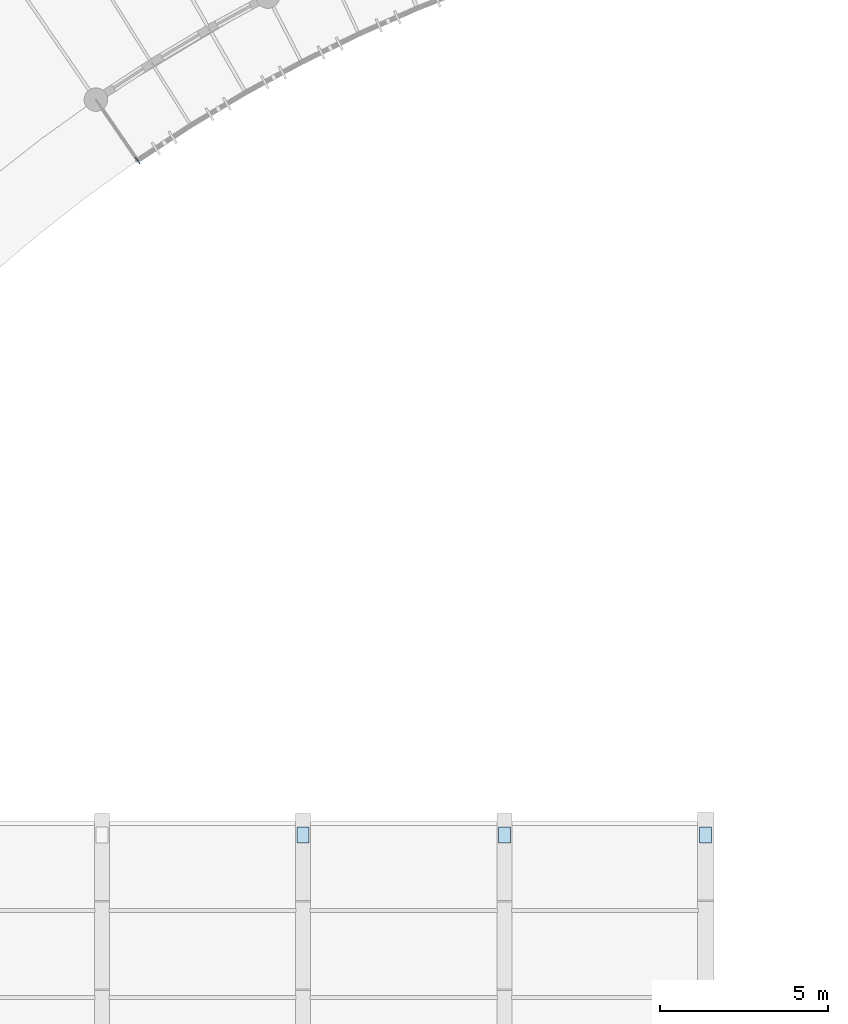
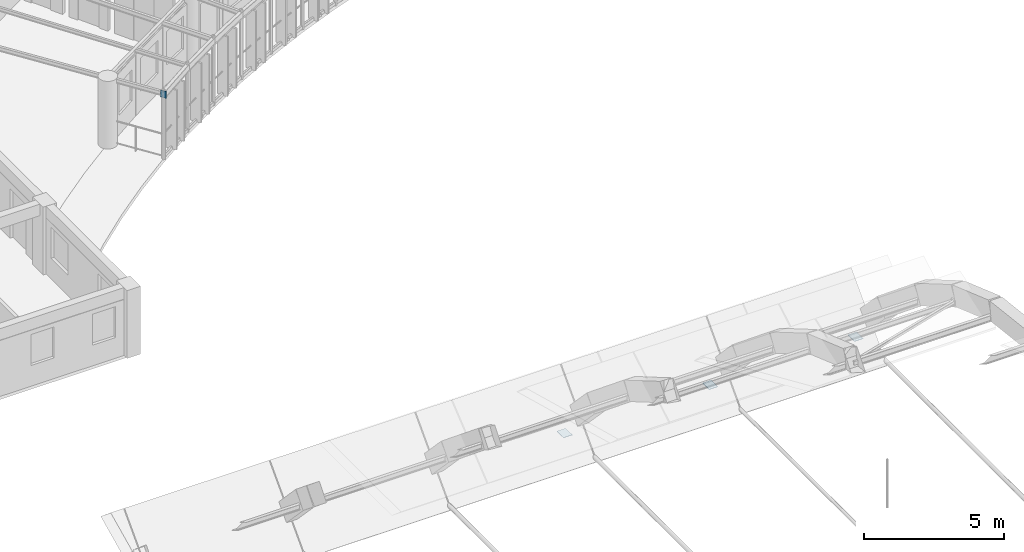
# One storey, part 72 of 123: 4 plates.
"""IFC4 building model written with IfcOpenShell, lengths in metres."""

from ifc_helpers import new_model, si_unit, direction, frame, origin, origin_2d, place, context, subcontext, project, spatial, rectangle, extrude, material, layer, layer_set, type_object, element, save


model = new_model("IFC4")

# Units and contexts
model_context = context("Model", 3, precision=1e-05, world=origin(), true_north=direction((0.0, 1.0)))
body_context = subcontext(model_context, "Body", "Model", "MODEL_VIEW")
ifc_project = project(units=[si_unit("LENGTHUNIT", "METRE"), si_unit("AREAUNIT", "SQUARE_METRE"), si_unit("VOLUMEUNIT", "CUBIC_METRE"), si_unit("PLANEANGLEUNIT", "RADIAN"), si_unit("MASSUNIT", "GRAM", prefix="KILO"), si_unit("POWERUNIT", "WATT"), si_unit("THERMODYNAMICTEMPERATUREUNIT", "KELVIN")], contexts=[model_context])

# Site, building, storey
site_placement = place(None, origin())
site = spatial("IfcSite", under=ifc_project, at=site_placement, CompositionType="ELEMENT")
building_placement = place(site_placement, origin())
building = spatial("IfcBuilding", under=site, at=building_placement, Name="Ruvembo Vaulted Housing Court", CompositionType="ELEMENT")
storey_placement = place(building_placement, frame((0.0, 0.0, 7.699951171875)))
storey = spatial("IfcBuildingStorey", under=building, at=storey_placement, Name="L02", CompositionType="ELEMENT", Elevation=7.699951171875)

# Plates
ifc_material = material(Name="Steel S355J2", Category="steel")
ifc_layer = layer(ifc_material, 0.01611328125, Name="Steel S355J2")
ifc_layer_set = layer_set([ifc_layer], Name="Steel S355J2")
plate_type = type_object("IfcPlateType", Name="PL-NODE-GUSSET-16", PredefinedType="USERDEFINED", material=ifc_layer_set)
plate_placement = place(storey_placement, frame((91.0673828125, 87.751220703125, 2.6650390625), z_axis=(0.0, 0.0, 1.0), x_axis=(0.835845688355, 0.548964466299, 0.0)))
element("IfcPlate", 1, at=plate_placement, inside=storey, type_object=plate_type, Name="Scoop SC3 L02 Hollow Spandrel End Cap Plate 0", ObjectType="GUSSET_PLATE", PredefinedType="USERDEFINED", context=body_context, shape_type="SweptSolid", body=[
    extrude(rectangle(XDim=0.02392578125, YDim=0.219970703125, at=origin_2d()), origin(), (0.0, 0.0, 1.0), 0.300048828125),
])
for number, where, z_axis, x_axis, name in (
    (2, (96.0, 67.64990234375, -1.508056640625), (0.0, 0.0, 1.0), (0.0, 1.0, 0.0), "Vault Tie Node Gusset Plate VN-06N"),
    (3, (102.0, 67.64990234375, -1.508056640625), (0.0, 0.0, 1.0), (0.0, 1.0, 0.0), "Vault Tie Node Gusset Plate VN-07N"),
    (4, (108.0, 67.64990234375, -1.508056640625), (0.0, 0.0, 1.0), (0.0, 1.0, 0.0), "Vault Tie Node Gusset Plate VN-08N"),
):
    element("IfcPlate", number, at=place(storey_placement, frame(where, z_axis=z_axis, x_axis=x_axis)), inside=storey, type_object=plate_type, Name=name, ObjectType="GUSSET_PLATE", PredefinedType="USERDEFINED", context=body_context, shape_type="SweptSolid", body=[
        extrude(rectangle(XDim=0.47998046875, YDim=0.360107421875, at=origin_2d()), origin(), (0.0, 0.0, 1.0), 0.01611328125),
    ])

save(model, "model.ifc")
